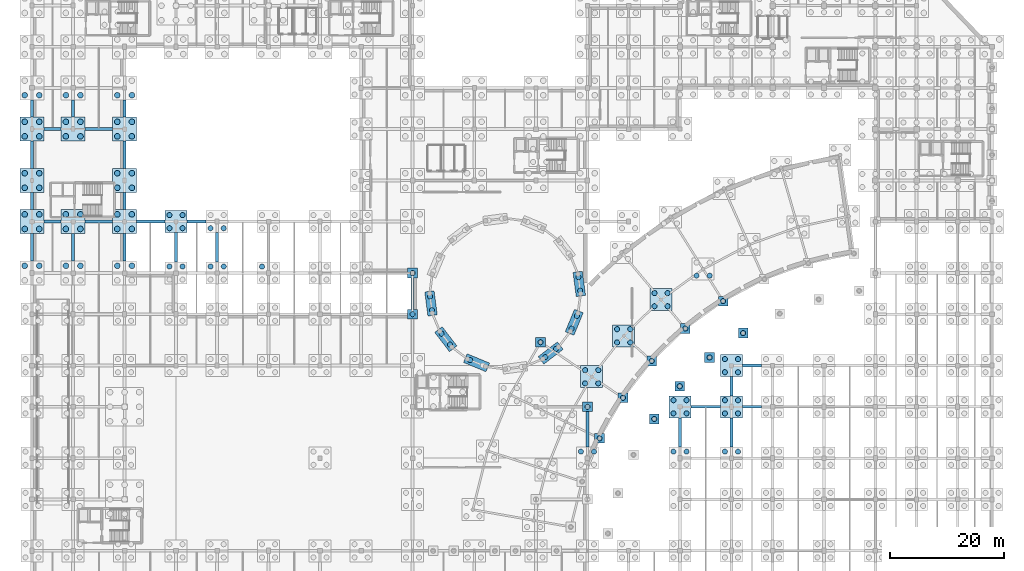
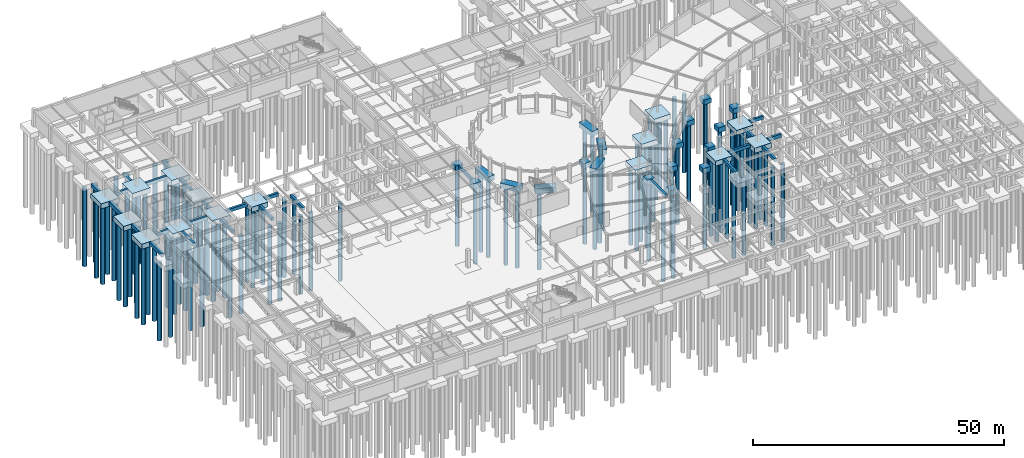
# One storey, part 5 of 42: 111 piles, 60 footings.
"""IFC4 building model written with IfcOpenShell, lengths in metres."""

from ifc_helpers import new_model, si_unit, direction, frame, frame_2d, origin, origin_2d, place, context, subcontext, project, spatial, polyline, rectangle, circle, outline, extrude, material, material_profile, profile_set, type_object, element, save


model = new_model("IFC4")

# Units and contexts
model_context = context("Model", 3, precision=1e-05, world=origin(), true_north=direction((0.0, 1.0)))
body_context = subcontext(model_context, "Body", "Model", "MODEL_VIEW")
ifc_project = project(units=[si_unit("LENGTHUNIT", "METRE"), si_unit("AREAUNIT", "SQUARE_METRE"), si_unit("VOLUMEUNIT", "CUBIC_METRE"), si_unit("PLANEANGLEUNIT", "RADIAN"), si_unit("MASSUNIT", "GRAM", prefix="KILO")], contexts=[model_context])

# Site, building, storey
site_placement = place(None, origin())
site = spatial("IfcSite", under=ifc_project, at=site_placement, CompositionType="ELEMENT")
building_placement = place(site_placement, origin())
building = spatial("IfcBuilding", under=site, at=building_placement, Name="Clarverna Civic Hall", CompositionType="ELEMENT")
storey_placement = place(building_placement, frame((0.0, 0.0, -4.199951171875)))
storey = spatial("IfcBuildingStorey", under=building, at=storey_placement, Name="B01", CompositionType="ELEMENT", Elevation=-4.199951171875)

# Footings
ifc_material = material(Name="Concrete C30/37", Category="concrete")
footing_type_1 = type_object("IfcFootingType", Name="FC-01", PredefinedType="PILE_CAP", material=ifc_material)
footing_1_placement = place(storey_placement, frame((0.0, 0.0, -1.199951171875)))
element("IfcFooting", 1, at=footing_1_placement, inside=storey, type_object=footing_type_1, Name="FC-01-001", PredefinedType="PILE_CAP", context=body_context, shape_type="SweptSolid", body=[
    extrude(outline(polyline([(96.870361328125, 58.708984375), (96.315673828125, 62.922607421875), (94.6796875, 62.707275390625), (95.234619140625, 58.49365234375), (96.870361328125, 58.708984375)])), origin(), (0.0, 0.0, 1.0), 1.199951171875),
])
footing_2_placement = place(storey_placement, frame((0.0, 0.0, -1.199951171875)))
element("IfcFooting", 2, at=footing_2_placement, inside=storey, type_object=footing_type_1, Name="FC-01-007", PredefinedType="PILE_CAP", context=body_context, shape_type="SweptSolid", body=[
    extrude(outline(polyline([(68.7294921875, 59.291015625), (69.2841796875, 55.077392578125), (70.920166015625, 55.292724609375), (70.365478515625, 59.50634765625), (68.7294921875, 59.291015625)])), origin(), (0.0, 0.0, 1.0), 1.199951171875),
])
footing_3_placement = place(storey_placement, frame((0.0, 0.0, -1.199951171875)))
element("IfcFooting", 3, at=footing_3_placement, inside=storey, type_object=footing_type_1, Name="FC-01-008", PredefinedType="PILE_CAP", context=body_context, shape_type="SweptSolid", body=[
    extrude(outline(polyline([(70.46923828125, 52.216796875), (73.056396484375, 48.844970703125), (74.365478515625, 49.849365234375), (71.7783203125, 53.22119140625), (70.46923828125, 52.216796875)])), origin(), (0.0, 0.0, 1.0), 1.199951171875),
])
footing_4_placement = place(storey_placement, frame((0.0, 0.0, -1.199951171875)))
element("IfcFooting", 4, at=footing_4_placement, inside=storey, type_object=footing_type_1, Name="FC-01-009", PredefinedType="PILE_CAP", context=body_context, shape_type="SweptSolid", body=[
    extrude(outline(polyline([(75.5126953125, 46.960205078125), (79.439208984375, 45.333740234375), (80.07080078125, 46.858154296875), (76.144287109375, 48.484619140625), (75.5126953125, 46.960205078125)])), origin(), (0.0, 0.0, 1.0), 1.199951171875),
])
footing_5_placement = place(storey_placement, frame((0.0, 0.0, -1.199951171875)))
element("IfcFooting", 5, at=footing_5_placement, inside=storey, type_object=footing_type_1, Name="FC-01-011", PredefinedType="PILE_CAP", context=body_context, shape_type="SweptSolid", body=[
    extrude(outline(polyline([(89.583251953125, 46.669189453125), (92.955078125, 49.256591796875), (91.95068359375, 50.5654296875), (88.578857421875, 47.978271484375), (89.583251953125, 46.669189453125)])), origin(), (0.0, 0.0, 1.0), 1.199951171875),
])
footing_6_placement = place(storey_placement, frame((0.0, 0.0, -1.199951171875)))
element("IfcFooting", 6, at=footing_6_placement, inside=storey, type_object=footing_type_1, Name="FC-01-012", PredefinedType="PILE_CAP", context=body_context, shape_type="SweptSolid", body=[
    extrude(outline(polyline([(94.83984375, 51.712890625), (96.46630859375, 55.639404296875), (94.94189453125, 56.270751953125), (93.3154296875, 52.34423828125), (94.83984375, 51.712890625)])), origin(), (0.0, 0.0, 1.0), 1.199951171875),
])
footing_type_2 = type_object("IfcFootingType", Name="FC-02", PredefinedType="PILE_CAP", material=ifc_material)
for number, where, z_axis, x_axis, name in (
    (7, (110.090087890625, 57.946044921875, -1.2001953125), (0.0, 0.0, 1.0), (1.0, 0.0, 0.0), "FC-02-005"),
    (8, (103.547119140625, 51.627197265625, -1.2001953125), (0.0, 0.0, 1.0), (1.0, 0.0, 0.0), "FC-02-006"),
    (9, (97.94677734375, 44.45947265625, -1.2001953125), (0.0, 0.0, 1.0), (1.0, 0.0, 0.0), "FC-02-007"),
    (10, (25.199951171875, 71.60009765625, -1.2001953125), (0.0, 0.0, 1.0), (1.0, 0.0, 0.0), "FC-02-046"),
    (11, (113.39990234375, 39.199951171875, -1.2001953125), (0.0, 0.0, 1.0), (1.0, 0.0, 0.0), "FC-02-103"),
    (12, (122.39990234375, 39.199951171875, -1.2001953125), (0.0, 0.0, 1.0), (1.0, 0.0, 0.0), "FC-02-109"),
    (13, (122.39990234375, 46.39990234375, -1.2001953125), (0.0, 0.0, 1.0), (1.0, 0.0, 0.0), "FC-02-110"),
):
    element("IfcFooting", number, at=place(storey_placement, frame(where, z_axis=z_axis, x_axis=x_axis)), inside=storey, type_object=footing_type_2, Name=name, PredefinedType="PILE_CAP", context=body_context, shape_type="SweptSolid", body=[
        extrude(rectangle(XDim=3.85009765625, YDim=3.85009765625, at=origin_2d()), origin(), (0.0, 0.0, 1.0), 1.199951171875),
    ])
footing_type_3 = type_object("IfcFootingType", Name="FC-03", PredefinedType="PILE_CAP", material=ifc_material)
for number, where, z_axis, x_axis, name in (
    (14, (0.0, 71.60009765625, -1.2001953125), (0.0, 0.0, 1.0), (1.0, 0.0, 0.0), "FC-03-002"),
    (15, (0.0, 78.800048828125, -1.2001953125), (0.0, 0.0, 1.0), (1.0, 0.0, 0.0), "FC-03-003"),
    (16, (0.0, 87.800048828125, -1.2001953125), (0.0, 0.0, 1.0), (1.0, 0.0, 0.0), "FC-03-004"),
    (17, (7.199951171875, 71.60009765625, -1.2001953125), (0.0, 0.0, 1.0), (1.0, 0.0, 0.0), "FC-03-010"),
    (18, (7.199951171875, 87.800048828125, -1.2001953125), (0.0, 0.0, 1.0), (1.0, 0.0, 0.0), "FC-03-011"),
    (19, (16.199951171875, 71.60009765625, -1.2001953125), (0.0, 0.0, 1.0), (1.0, 0.0, 0.0), "FC-03-017"),
    (20, (16.199951171875, 78.800048828125, -1.2001953125), (0.0, 0.0, 1.0), (1.0, 0.0, 0.0), "FC-03-018"),
    (21, (16.199951171875, 87.800048828125, -1.2001953125), (0.0, 0.0, 1.0), (1.0, 0.0, 0.0), "FC-03-019"),
):
    element("IfcFooting", number, at=place(storey_placement, frame(where, z_axis=z_axis, x_axis=x_axis)), inside=storey, type_object=footing_type_3, Name=name, PredefinedType="PILE_CAP", context=body_context, shape_type="SweptSolid", body=[
        extrude(rectangle(XDim=4.199951171875, YDim=4.199951171875, at=origin_2d()), origin(), (0.0, 0.0, 1.0), 1.199951171875),
    ])
footing_type_4 = type_object("IfcFootingType", Name="FC-06", PredefinedType="PILE_CAP", material=ifc_material)
for number, where, z_axis, x_axis, name in (
    (22, (88.9931640625, 50.498779296875, -1.2001953125), (0.0, 0.0, 1.0), (1.0, 0.0, 0.0), "FC-06-001"),
    (23, (120.94677734375, 57.695556640625, -1.2001953125), (0.0, 0.0, 1.0), (1.0, 0.0, 0.0), "FC-06-005"),
    (24, (114.33251953125, 52.89013671875, -1.2001953125), (0.0, 0.0, 1.0), (1.0, 0.0, 0.0), "FC-06-006"),
    (25, (108.45166015625, 47.211181640625, -1.2001953125), (0.0, 0.0, 1.0), (1.0, 0.0, 0.0), "FC-06-007"),
    (26, (103.41845703125, 40.768798828125, -1.2001953125), (0.0, 0.0, 1.0), (1.0, 0.0, 0.0), "FC-06-008"),
    (27, (99.330810546875, 33.6884765625, -1.2001953125), (0.0, 0.0, 1.0), (1.0, 0.0, 0.0), "FC-06-009"),
    (28, (124.444091796875, 52.098388671875, -1.2001953125), (0.0, 0.0, 1.0), (1.0, 0.0, 0.0), "FC-06-015"),
    (29, (118.574951171875, 47.834228515625, -1.2001953125), (0.0, 0.0, 1.0), (1.0, 0.0, 0.0), "FC-06-016"),
    (30, (113.3564453125, 42.794921875, -1.2001953125), (0.0, 0.0, 1.0), (1.0, 0.0, 0.0), "FC-06-017"),
    (31, (108.889892578125, 37.077880859375, -1.2001953125), (0.0, 0.0, 1.0), (1.0, 0.0, 0.0), "FC-06-018"),
    (32, (66.60009765625, 55.39990234375, -1.2001953125), (0.0, 0.0, 1.0), (1.0, 0.0, 0.0), "FC-06-022"),
    (33, (66.60009765625, 62.60009765625, -1.2001953125), (0.0, 0.0, 1.0), (1.0, 0.0, 0.0), "FC-06-023"),
    (34, (97.199951171875, 39.199951171875, -1.2001953125), (0.0, 0.0, 1.0), (1.0, 0.0, 0.0), "FC-06-026"),
):
    element("IfcFooting", number, at=place(storey_placement, frame(where, z_axis=z_axis, x_axis=x_axis)), inside=storey, type_object=footing_type_4, Name=name, PredefinedType="PILE_CAP", context=body_context, shape_type="SweptSolid", body=[
        extrude(rectangle(XDim=1.699951171875, YDim=1.699951171875, at=origin_2d()), origin(), (0.0, 0.0, 1.0), 1.199951171875),
    ])
footing_type_5 = type_object("IfcFootingType", Name="GB-01", PredefinedType="FOOTING_BEAM", material=ifc_material)
footing_7_placement = place(storey_placement, frame((115.324951171875, 39.199951171875, -0.800048828125), z_axis=(0.0, 0.0, 1.0), x_axis=(1.0, 0.0, 0.0)))
element("IfcFooting", 35, at=footing_7_placement, inside=storey, type_object=footing_type_5, Name="GB-01-061", PredefinedType="FOOTING_BEAM", context=body_context, shape_type="SweptSolid", body=[
    extrude(rectangle(XDim=5.150146484375, YDim=0.5, at=frame_2d((2.5751953125, 0.0))), origin(), (0.0, 0.0, 1.0), 0.800048828125),
])
for number, where, z_axis, x_axis, name in (
    (36, (124.324951171875, 39.199951171875, -0.800048828125), (0.0, 0.0, 1.0), (1.0, 0.0, 0.0), "GB-01-062"),
    (37, (124.324951171875, 46.39990234375, -0.800048828125), (0.0, 0.0, 1.0), (1.0, 0.0, 0.0), "GB-01-076"),
):
    element("IfcFooting", number, at=place(storey_placement, frame(where, z_axis=z_axis, x_axis=x_axis)), inside=storey, type_object=footing_type_5, Name=name, PredefinedType="FOOTING_BEAM", context=body_context, shape_type="SweptSolid", body=[
        extrude(rectangle(XDim=3.35009765625, YDim=0.5, at=frame_2d((1.675048828125, 0.0))), origin(), (0.0, 0.0, 1.0), 0.800048828125),
    ])
footing_8_placement = place(storey_placement, frame((2.10009765625, 71.60009765625, -0.800048828125), z_axis=(0.0, 0.0, 1.0), x_axis=(1.0, 0.0, 0.0)))
element("IfcFooting", 38, at=footing_8_placement, inside=storey, type_object=footing_type_5, Name="GB-01-104", PredefinedType="FOOTING_BEAM", context=body_context, shape_type="SweptSolid", body=[
    extrude(rectangle(XDim=3.0, YDim=0.5, at=frame_2d((1.5, 0.0))), origin(), (0.0, 0.0, 1.0), 0.800048828125),
])
footing_9_placement = place(storey_placement, frame((9.300048828125, 71.60009765625, -0.800048828125), z_axis=(0.0, 0.0, 1.0), x_axis=(1.0, 0.0, 0.0)))
element("IfcFooting", 39, at=footing_9_placement, inside=storey, type_object=footing_type_5, Name="GB-01-105", PredefinedType="FOOTING_BEAM", context=body_context, shape_type="SweptSolid", body=[
    extrude(rectangle(XDim=4.800048828125, YDim=0.5, at=frame_2d((2.39990234375, 0.0))), origin(), (0.0, 0.0, 1.0), 0.800048828125),
])
footing_10_placement = place(storey_placement, frame((18.300048828125, 71.60009765625, -0.800048828125), z_axis=(0.0, 0.0, 1.0), x_axis=(1.0, 0.0, 0.0)))
element("IfcFooting", 40, at=footing_10_placement, inside=storey, type_object=footing_type_5, Name="GB-01-106", PredefinedType="FOOTING_BEAM", context=body_context, shape_type="SweptSolid", body=[
    extrude(rectangle(XDim=4.974853515625, YDim=0.5, at=frame_2d((2.4873046875, 0.0))), origin(), (0.0, 0.0, 1.0), 0.800048828125),
])
footing_11_placement = place(storey_placement, frame((27.125, 71.60009765625, -0.800048828125), z_axis=(0.0, 0.0, 1.0), x_axis=(1.0, 0.0, 0.0)))
element("IfcFooting", 41, at=footing_11_placement, inside=storey, type_object=footing_type_5, Name="GB-01-107", PredefinedType="FOOTING_BEAM", context=body_context, shape_type="SweptSolid", body=[
    extrude(rectangle(XDim=3.35009765625, YDim=0.5, at=frame_2d((1.675048828125, 0.0))), origin(), (0.0, 0.0, 1.0), 0.800048828125),
])
footing_12_placement = place(storey_placement, frame((2.10009765625, 87.800048828125, -0.800048828125), z_axis=(0.0, 0.0, 1.0), x_axis=(1.0, 0.0, 0.0)))
element("IfcFooting", 42, at=footing_12_placement, inside=storey, type_object=footing_type_5, Name="GB-01-123", PredefinedType="FOOTING_BEAM", context=body_context, shape_type="SweptSolid", body=[
    extrude(rectangle(XDim=3.0, YDim=0.5, at=frame_2d((1.5, 0.0))), origin(), (0.0, 0.0, 1.0), 0.800048828125),
])
for number, where, z_axis, x_axis, name in (
    (43, (9.300048828125, 87.800048828125, -0.800048828125), (0.0, 0.0, 1.0), (1.0, 0.0, 0.0), "GB-01-124"),
    (44, (7.199951171875, 64.699951171875, -0.800048828125), (0.0, 0.0, 1.0), (0.0, 1.0, 0.0), "GB-01-180"),
):
    element("IfcFooting", number, at=place(storey_placement, frame(where, z_axis=z_axis, x_axis=x_axis)), inside=storey, type_object=footing_type_5, Name=name, PredefinedType="FOOTING_BEAM", context=body_context, shape_type="SweptSolid", body=[
        extrude(rectangle(XDim=4.800048828125, YDim=0.5, at=frame_2d((2.39990234375, 0.0))), origin(), (0.0, 0.0, 1.0), 0.800048828125),
    ])
footing_13_placement = place(storey_placement, frame((7.199951171875, 89.89990234375, -0.800048828125), z_axis=(0.0, 0.0, 1.0), x_axis=(0.0, 1.0, 0.0)))
element("IfcFooting", 45, at=footing_13_placement, inside=storey, type_object=footing_type_5, Name="GB-01-181", PredefinedType="FOOTING_BEAM", context=body_context, shape_type="SweptSolid", body=[
    extrude(rectangle(XDim=3.0, YDim=0.5, at=frame_2d((1.5, 0.0))), origin(), (0.0, 0.0, 1.0), 0.800048828125),
])
footing_14_placement = place(storey_placement, frame((16.199951171875, 64.699951171875, -0.800048828125), z_axis=(0.0, 0.0, 1.0), x_axis=(0.0, 1.0, 0.0)))
element("IfcFooting", 46, at=footing_14_placement, inside=storey, type_object=footing_type_5, Name="GB-01-193", PredefinedType="FOOTING_BEAM", context=body_context, shape_type="SweptSolid", body=[
    extrude(rectangle(XDim=4.800048828125, YDim=0.5, at=frame_2d((2.39990234375, 0.0))), origin(), (0.0, 0.0, 1.0), 0.800048828125),
])
footing_15_placement = place(storey_placement, frame((16.199951171875, 73.699951171875, -0.800048828125), z_axis=(0.0, 0.0, 1.0), x_axis=(0.0, 1.0, 0.0)))
element("IfcFooting", 47, at=footing_15_placement, inside=storey, type_object=footing_type_5, Name="GB-01-194", PredefinedType="FOOTING_BEAM", context=body_context, shape_type="SweptSolid", body=[
    extrude(rectangle(XDim=3.0, YDim=0.5, at=frame_2d((1.5, 0.0))), origin(), (0.0, 0.0, 1.0), 0.800048828125),
])
footing_16_placement = place(storey_placement, frame((16.199951171875, 80.89990234375, -0.800048828125), z_axis=(0.0, 0.0, 1.0), x_axis=(0.0, 1.0, 0.0)))
element("IfcFooting", 48, at=footing_16_placement, inside=storey, type_object=footing_type_5, Name="GB-01-195", PredefinedType="FOOTING_BEAM", context=body_context, shape_type="SweptSolid", body=[
    extrude(rectangle(XDim=4.800048828125, YDim=0.5, at=frame_2d((2.39990234375, 0.0))), origin(), (0.0, 0.0, 1.0), 0.800048828125),
])
footing_17_placement = place(storey_placement, frame((16.199951171875, 89.89990234375, -0.800048828125), z_axis=(0.0, 0.0, 1.0), x_axis=(0.0, 1.0, 0.0)))
element("IfcFooting", 49, at=footing_17_placement, inside=storey, type_object=footing_type_5, Name="GB-01-196", PredefinedType="FOOTING_BEAM", context=body_context, shape_type="SweptSolid", body=[
    extrude(rectangle(XDim=3.0, YDim=0.5, at=frame_2d((1.5, 0.0))), origin(), (0.0, 0.0, 1.0), 0.800048828125),
])
for number, where, z_axis, x_axis, name in (
    (50, (25.199951171875, 64.52490234375, -0.800048828125), (0.0, 0.0, 1.0), (0.0, 1.0, 0.0), "GB-01-202"),
    (51, (32.39990234375, 64.52490234375, -0.800048828125), (0.0, 0.0, 1.0), (0.0, 1.0, 0.0), "GB-01-209"),
):
    element("IfcFooting", number, at=place(storey_placement, frame(where, z_axis=z_axis, x_axis=x_axis)), inside=storey, type_object=footing_type_5, Name=name, PredefinedType="FOOTING_BEAM", context=body_context, shape_type="SweptSolid", body=[
        extrude(rectangle(XDim=5.150146484375, YDim=0.5, at=frame_2d((2.5751953125, 0.0))), origin(), (0.0, 0.0, 1.0), 0.800048828125),
    ])
footing_18_placement = place(storey_placement, frame((66.60009765625, 56.25, -0.800048828125), z_axis=(0.0, 0.0, 1.0), x_axis=(0.0, 1.0, 0.0)))
element("IfcFooting", 52, at=footing_18_placement, inside=storey, type_object=footing_type_5, Name="GB-01-240", PredefinedType="FOOTING_BEAM", context=body_context, shape_type="SweptSolid", body=[
    extrude(rectangle(XDim=5.5, YDim=0.5, at=frame_2d((2.75, 0.0))), origin(), (0.0, 0.0, 1.0), 0.800048828125),
])
footing_19_placement = place(storey_placement, frame((97.199951171875, 32.125, -0.800048828125), z_axis=(0.0, 0.0, 1.0), x_axis=(0.0, 1.0, 0.0)))
element("IfcFooting", 53, at=footing_19_placement, inside=storey, type_object=footing_type_5, Name="GB-01-261", PredefinedType="FOOTING_BEAM", context=body_context, shape_type="SweptSolid", body=[
    extrude(rectangle(XDim=6.22509765625, YDim=0.5, at=frame_2d((3.112548828125, 0.0))), origin(), (0.0, 0.0, 1.0), 0.800048828125),
])
for number, where, z_axis, x_axis, name in (
    (54, (113.39990234375, 32.125, -0.800048828125), (0.0, 0.0, 1.0), (0.0, 1.0, 0.0), "GB-01-276"),
    (55, (122.39990234375, 32.125, -0.800048828125), (0.0, 0.0, 1.0), (0.0, 1.0, 0.0), "GB-01-285"),
):
    element("IfcFooting", number, at=place(storey_placement, frame(where, z_axis=z_axis, x_axis=x_axis)), inside=storey, type_object=footing_type_5, Name=name, PredefinedType="FOOTING_BEAM", context=body_context, shape_type="SweptSolid", body=[
        extrude(rectangle(XDim=5.14990234375, YDim=0.5, at=frame_2d((2.574951171875, 0.0))), origin(), (0.0, 0.0, 1.0), 0.800048828125),
    ])
footing_20_placement = place(storey_placement, frame((122.39990234375, 41.125, -0.800048828125), z_axis=(0.0, 0.0, 1.0), x_axis=(0.0, 1.0, 0.0)))
element("IfcFooting", 56, at=footing_20_placement, inside=storey, type_object=footing_type_5, Name="GB-01-286", PredefinedType="FOOTING_BEAM", context=body_context, shape_type="SweptSolid", body=[
    extrude(rectangle(XDim=3.35009765625, YDim=0.5, at=frame_2d((1.675048828125, 0.0))), origin(), (0.0, 0.0, 1.0), 0.800048828125),
])
footing_type_6 = type_object("IfcFootingType", Name="GB-02", PredefinedType="FOOTING_BEAM", material=ifc_material)
footing_21_placement = place(storey_placement, frame((0.0, 64.699951171875, -0.900146484375), z_axis=(0.0, 0.0, 1.0), x_axis=(0.0, 1.0, 0.0)))
element("IfcFooting", 57, at=footing_21_placement, inside=storey, type_object=footing_type_6, Name="GB-02-043", PredefinedType="FOOTING_BEAM", context=body_context, shape_type="SweptSolid", body=[
    extrude(rectangle(XDim=4.800048828125, YDim=0.60009765625, at=frame_2d((2.39990234375, 0.0))), origin(), (0.0, 0.0, 1.0), 0.900146484375),
])
footing_22_placement = place(storey_placement, frame((0.0, 73.699951171875, -0.900146484375), z_axis=(0.0, 0.0, 1.0), x_axis=(0.0, 1.0, 0.0)))
element("IfcFooting", 58, at=footing_22_placement, inside=storey, type_object=footing_type_6, Name="GB-02-044", PredefinedType="FOOTING_BEAM", context=body_context, shape_type="SweptSolid", body=[
    extrude(rectangle(XDim=3.0, YDim=0.60009765625, at=frame_2d((1.5, 0.0))), origin(), (0.0, 0.0, 1.0), 0.900146484375),
])
footing_23_placement = place(storey_placement, frame((0.0, 80.89990234375, -0.900146484375), z_axis=(0.0, 0.0, 1.0), x_axis=(0.0, 1.0, 0.0)))
element("IfcFooting", 59, at=footing_23_placement, inside=storey, type_object=footing_type_6, Name="GB-02-045", PredefinedType="FOOTING_BEAM", context=body_context, shape_type="SweptSolid", body=[
    extrude(rectangle(XDim=4.800048828125, YDim=0.60009765625, at=frame_2d((2.39990234375, 0.0))), origin(), (0.0, 0.0, 1.0), 0.900146484375),
])
footing_24_placement = place(storey_placement, frame((0.0, 89.89990234375, -0.900146484375), z_axis=(0.0, 0.0, 1.0), x_axis=(0.0, 1.0, 0.0)))
element("IfcFooting", 60, at=footing_24_placement, inside=storey, type_object=footing_type_6, Name="GB-02-046", PredefinedType="FOOTING_BEAM", context=body_context, shape_type="SweptSolid", body=[
    extrude(rectangle(XDim=3.0, YDim=0.60009765625, at=frame_2d((1.5, 0.0))), origin(), (0.0, 0.0, 1.0), 0.900146484375),
])

# Piles
ifc_material_profile_1 = material_profile(ifc_material, circle(Radius=0.449951171875, at=origin_2d()), Name="BORED PILE D900")
ifc_profile_set_1 = profile_set([ifc_material_profile_1], Name="Concrete C30/37")
pile_type_1 = type_object("IfcPileType", Name="PL-01", PredefinedType="BORED", material=ifc_profile_set_1)
for number, where, z_axis, x_axis, name in (
    (61, (95.931640625, 59.5185546875, -1.10009765625), (0.0, 0.0, -1.0), (1.0, 0.0, 0.0), "PL-01-001"),
    (62, (95.618408203125, 61.89794921875, -1.10009765625), (0.0, 0.0, -1.0), (1.0, 0.0, 0.0), "PL-01-002"),
    (63, (69.668212890625, 58.4814453125, -1.10009765625), (0.0, 0.0, -1.0), (1.0, 0.0, 0.0), "PL-01-013"),
    (64, (69.9814453125, 56.10205078125, -1.10009765625), (0.0, 0.0, -1.0), (1.0, 0.0, 0.0), "PL-01-014"),
    (65, (71.686767578125, 51.985107421875, -1.10009765625), (0.0, 0.0, -1.0), (1.0, 0.0, 0.0), "PL-01-015"),
    (66, (73.147705078125, 50.0810546875, -1.10009765625), (0.0, 0.0, -1.0), (1.0, 0.0, 0.0), "PL-01-016"),
    (67, (76.68310546875, 47.368408203125, -1.10009765625), (0.0, 0.0, -1.0), (1.0, 0.0, 0.0), "PL-01-017"),
    (68, (89.81494140625, 47.886962890625, -1.10009765625), (0.0, 0.0, -1.0), (1.0, 0.0, 0.0), "PL-01-021"),
    (69, (91.718994140625, 49.347900390625, -1.10009765625), (0.0, 0.0, -1.0), (1.0, 0.0, 0.0), "PL-01-022"),
    (70, (94.431640625, 52.883056640625, -1.10009765625), (0.0, 0.0, -1.0), (1.0, 0.0, 0.0), "PL-01-023"),
    (71, (95.35009765625, 55.1005859375, -1.10009765625), (0.0, 0.0, -1.0), (1.0, 0.0, 0.0), "PL-01-024"),
    (72, (116.29931640625, 62.142578125, -1.10009765625), (0.0, 0.0, -1.0), (1.0, 0.0, 0.0), "PL-01-037"),
    (73, (118.599365234375, 62.142578125, -1.10009765625), (0.0, 0.0, -1.0), (1.0, 0.0, 0.0), "PL-01-038"),
    (74, (108.940185546875, 56.796142578125, -1.10009765625), (0.0, 0.0, -1.0), (1.0, 0.0, 0.0), "PL-01-041"),
    (75, (111.240234375, 56.796142578125, -1.10009765625), (0.0, 0.0, -1.0), (1.0, 0.0, 0.0), "PL-01-042"),
    (76, (108.940185546875, 59.09619140625, -1.10009765625), (0.0, 0.0, -1.0), (1.0, 0.0, 0.0), "PL-01-043"),
    (77, (111.240234375, 59.09619140625, -1.10009765625), (0.0, 0.0, -1.0), (1.0, 0.0, 0.0), "PL-01-044"),
    (78, (102.39697265625, 50.477294921875, -1.10009765625), (0.0, 0.0, -1.0), (1.0, 0.0, 0.0), "PL-01-045"),
    (79, (104.697021484375, 50.477294921875, -1.10009765625), (0.0, 0.0, -1.0), (1.0, 0.0, 0.0), "PL-01-046"),
    (80, (102.39697265625, 52.77734375, -1.10009765625), (0.0, 0.0, -1.0), (1.0, 0.0, 0.0), "PL-01-047"),
    (81, (104.697021484375, 52.77734375, -1.10009765625), (0.0, 0.0, -1.0), (1.0, 0.0, 0.0), "PL-01-048"),
    (82, (96.796875, 43.309326171875, -1.10009765625), (0.0, 0.0, -1.0), (1.0, 0.0, 0.0), "PL-01-049"),
    (83, (99.0966796875, 43.309326171875, -1.10009765625), (0.0, 0.0, -1.0), (1.0, 0.0, 0.0), "PL-01-050"),
    (84, (96.796875, 45.609375, -1.10009765625), (0.0, 0.0, -1.0), (1.0, 0.0, 0.0), "PL-01-051"),
    (85, (99.0966796875, 45.609375, -1.10009765625), (0.0, 0.0, -1.0), (1.0, 0.0, 0.0), "PL-01-052"),
    (86, (88.9931640625, 50.498779296875, -1.10009765625), (0.0, 0.0, -1.0), (1.0, 0.0, 0.0), "PL-01-085"),
    (87, (120.94677734375, 57.695556640625, -1.10009765625), (0.0, 0.0, -1.0), (1.0, 0.0, 0.0), "PL-01-101"),
    (88, (114.33251953125, 52.89013671875, -1.10009765625), (0.0, 0.0, -1.0), (1.0, 0.0, 0.0), "PL-01-102"),
    (89, (108.45166015625, 47.211181640625, -1.10009765625), (0.0, 0.0, -1.0), (1.0, 0.0, 0.0), "PL-01-103"),
    (90, (103.41845703125, 40.768798828125, -1.10009765625), (0.0, 0.0, -1.0), (1.0, 0.0, 0.0), "PL-01-104"),
    (91, (99.330810546875, 33.6884765625, -1.10009765625), (0.0, 0.0, -1.0), (1.0, 0.0, 0.0), "PL-01-105"),
    (92, (124.444091796875, 52.098388671875, -1.10009765625), (0.0, 0.0, -1.0), (1.0, 0.0, 0.0), "PL-01-111"),
    (93, (118.574951171875, 47.834228515625, -1.10009765625), (0.0, 0.0, -1.0), (1.0, 0.0, 0.0), "PL-01-112"),
    (94, (113.3564453125, 42.794921875, -1.10009765625), (0.0, 0.0, -1.0), (1.0, 0.0, 0.0), "PL-01-113"),
    (95, (108.889892578125, 37.077880859375, -1.10009765625), (0.0, 0.0, -1.0), (1.0, 0.0, 0.0), "PL-01-114"),
    (96, (24.050048828125, 63.75, -1.10009765625), (0.0, 0.0, -1.0), (1.0, 0.0, 0.0), "PL-01-224"),
    (97, (26.35009765625, 63.75, -1.10009765625), (0.0, 0.0, -1.0), (1.0, 0.0, 0.0), "PL-01-225"),
    (98, (24.050048828125, 70.449951171875, -1.10009765625), (0.0, 0.0, -1.0), (1.0, 0.0, 0.0), "PL-01-226"),
    (99, (26.35009765625, 70.449951171875, -1.10009765625), (0.0, 0.0, -1.0), (1.0, 0.0, 0.0), "PL-01-227"),
    (100, (24.050048828125, 72.75, -1.10009765625), (0.0, 0.0, -1.0), (1.0, 0.0, 0.0), "PL-01-228"),
    (101, (26.35009765625, 72.75, -1.10009765625), (0.0, 0.0, -1.0), (1.0, 0.0, 0.0), "PL-01-229"),
    (102, (31.25, 63.75, -1.10009765625), (0.0, 0.0, -1.0), (1.0, 0.0, 0.0), "PL-01-252"),
    (103, (33.550048828125, 63.75, -1.10009765625), (0.0, 0.0, -1.0), (1.0, 0.0, 0.0), "PL-01-253"),
    (104, (31.25, 70.449951171875, -1.10009765625), (0.0, 0.0, -1.0), (1.0, 0.0, 0.0), "PL-01-254"),
    (105, (33.550048828125, 70.449951171875, -1.10009765625), (0.0, 0.0, -1.0), (1.0, 0.0, 0.0), "PL-01-255"),
    (106, (40.25, 63.75, -1.10009765625), (0.0, 0.0, -1.0), (1.0, 0.0, 0.0), "PL-01-276"),
    (107, (66.60009765625, 55.39990234375, -1.10009765625), (0.0, 0.0, -1.0), (1.0, 0.0, 0.0), "PL-01-374"),
    (108, (66.60009765625, 62.60009765625, -1.10009765625), (0.0, 0.0, -1.0), (1.0, 0.0, 0.0), "PL-01-375"),
    (109, (96.050048828125, 31.35009765625, -1.10009765625), (0.0, 0.0, -1.0), (1.0, 0.0, 0.0), "PL-01-420"),
    (110, (98.35009765625, 31.35009765625, -1.10009765625), (0.0, 0.0, -1.0), (1.0, 0.0, 0.0), "PL-01-421"),
    (111, (97.199951171875, 39.199951171875, -1.10009765625), (0.0, 0.0, -1.0), (1.0, 0.0, 0.0), "PL-01-422"),
    (112, (112.25, 31.35009765625, -1.10009765625), (0.0, 0.0, -1.0), (1.0, 0.0, 0.0), "PL-01-457"),
    (113, (114.550048828125, 31.35009765625, -1.10009765625), (0.0, 0.0, -1.0), (1.0, 0.0, 0.0), "PL-01-458"),
    (114, (112.25, 38.050048828125, -1.10009765625), (0.0, 0.0, -1.0), (1.0, 0.0, 0.0), "PL-01-459"),
    (115, (114.550048828125, 38.050048828125, -1.10009765625), (0.0, 0.0, -1.0), (1.0, 0.0, 0.0), "PL-01-460"),
    (116, (112.25, 40.35009765625, -1.10009765625), (0.0, 0.0, -1.0), (1.0, 0.0, 0.0), "PL-01-461"),
    (117, (114.550048828125, 40.35009765625, -1.10009765625), (0.0, 0.0, -1.0), (1.0, 0.0, 0.0), "PL-01-462"),
    (118, (121.25, 31.35009765625, -1.10009765625), (0.0, 0.0, -1.0), (1.0, 0.0, 0.0), "PL-01-499"),
    (119, (123.550048828125, 31.35009765625, -1.10009765625), (0.0, 0.0, -1.0), (1.0, 0.0, 0.0), "PL-01-500"),
    (120, (121.25, 38.050048828125, -1.10009765625), (0.0, 0.0, -1.0), (1.0, 0.0, 0.0), "PL-01-501"),
    (121, (123.550048828125, 38.050048828125, -1.10009765625), (0.0, 0.0, -1.0), (1.0, 0.0, 0.0), "PL-01-502"),
    (122, (121.25, 40.35009765625, -1.10009765625), (0.0, 0.0, -1.0), (1.0, 0.0, 0.0), "PL-01-503"),
    (123, (123.550048828125, 40.35009765625, -1.10009765625), (0.0, 0.0, -1.0), (1.0, 0.0, 0.0), "PL-01-504"),
    (124, (121.25, 45.25, -1.10009765625), (0.0, 0.0, -1.0), (1.0, 0.0, 0.0), "PL-01-505"),
    (125, (123.550048828125, 45.25, -1.10009765625), (0.0, 0.0, -1.0), (1.0, 0.0, 0.0), "PL-01-506"),
    (126, (121.25, 47.550048828125, -1.10009765625), (0.0, 0.0, -1.0), (1.0, 0.0, 0.0), "PL-01-507"),
    (127, (123.550048828125, 47.550048828125, -1.10009765625), (0.0, 0.0, -1.0), (1.0, 0.0, 0.0), "PL-01-508"),
):
    element("IfcPile", number, at=place(storey_placement, frame(where, z_axis=z_axis, x_axis=x_axis)), inside=storey, type_object=pile_type_1, Name=name, PredefinedType="BORED", context=body_context, shape_type="SweptSolid", body=[
        extrude(circle(Radius=0.449951171875, at=origin_2d()), origin(), (0.0, 0.0, 1.0), 19.0),
    ])
ifc_material_profile_2 = material_profile(ifc_material, circle(Radius=0.5, at=origin_2d()), Name="BORED PILE D1000")
ifc_profile_set_2 = profile_set([ifc_material_profile_2], Name="Concrete C30/37")
pile_type_2 = type_object("IfcPileType", Name="PL-02", PredefinedType="BORED", material=ifc_profile_set_2)
for number, where, z_axis, x_axis, name in (
    (128, (-1.27490234375, 63.875, -1.10009765625), (0.0, 0.0, -1.0), (1.0, 0.0, 0.0), "PL-02-003"),
    (129, (1.27490234375, 63.875, -1.10009765625), (0.0, 0.0, -1.0), (1.0, 0.0, 0.0), "PL-02-004"),
    (130, (-1.27490234375, 70.324951171875, -1.10009765625), (0.0, 0.0, -1.0), (1.0, 0.0, 0.0), "PL-02-005"),
    (131, (1.27490234375, 70.324951171875, -1.10009765625), (0.0, 0.0, -1.0), (1.0, 0.0, 0.0), "PL-02-006"),
    (132, (-1.27490234375, 72.875, -1.10009765625), (0.0, 0.0, -1.0), (1.0, 0.0, 0.0), "PL-02-007"),
    (133, (1.27490234375, 72.875, -1.10009765625), (0.0, 0.0, -1.0), (1.0, 0.0, 0.0), "PL-02-008"),
    (134, (-1.27490234375, 77.52490234375, -1.10009765625), (0.0, 0.0, -1.0), (1.0, 0.0, 0.0), "PL-02-009"),
    (135, (1.27490234375, 77.52490234375, -1.10009765625), (0.0, 0.0, -1.0), (1.0, 0.0, 0.0), "PL-02-010"),
    (136, (-1.27490234375, 80.074951171875, -1.10009765625), (0.0, 0.0, -1.0), (1.0, 0.0, 0.0), "PL-02-011"),
    (137, (1.27490234375, 80.074951171875, -1.10009765625), (0.0, 0.0, -1.0), (1.0, 0.0, 0.0), "PL-02-012"),
    (138, (-1.27490234375, 86.52490234375, -1.10009765625), (0.0, 0.0, -1.0), (1.0, 0.0, 0.0), "PL-02-013"),
    (139, (1.27490234375, 86.52490234375, -1.10009765625), (0.0, 0.0, -1.0), (1.0, 0.0, 0.0), "PL-02-014"),
    (140, (-1.27490234375, 89.074951171875, -1.10009765625), (0.0, 0.0, -1.0), (1.0, 0.0, 0.0), "PL-02-015"),
    (141, (1.27490234375, 89.074951171875, -1.10009765625), (0.0, 0.0, -1.0), (1.0, 0.0, 0.0), "PL-02-016"),
    (142, (-1.27490234375, 93.72509765625, -1.10009765625), (0.0, 0.0, -1.0), (1.0, 0.0, 0.0), "PL-02-017"),
    (143, (1.27490234375, 93.72509765625, -1.10009765625), (0.0, 0.0, -1.0), (1.0, 0.0, 0.0), "PL-02-018"),
    (144, (5.925048828125, 63.875, -1.10009765625), (0.0, 0.0, -1.0), (1.0, 0.0, 0.0), "PL-02-035"),
    (145, (8.47509765625, 63.875, -1.10009765625), (0.0, 0.0, -1.0), (1.0, 0.0, 0.0), "PL-02-036"),
    (146, (5.925048828125, 70.324951171875, -1.10009765625), (0.0, 0.0, -1.0), (1.0, 0.0, 0.0), "PL-02-037"),
    (147, (8.47509765625, 70.324951171875, -1.10009765625), (0.0, 0.0, -1.0), (1.0, 0.0, 0.0), "PL-02-038"),
    (148, (5.925048828125, 72.875, -1.10009765625), (0.0, 0.0, -1.0), (1.0, 0.0, 0.0), "PL-02-039"),
    (149, (8.47509765625, 72.875, -1.10009765625), (0.0, 0.0, -1.0), (1.0, 0.0, 0.0), "PL-02-040"),
    (150, (5.925048828125, 86.52490234375, -1.10009765625), (0.0, 0.0, -1.0), (1.0, 0.0, 0.0), "PL-02-041"),
    (151, (8.47509765625, 86.52490234375, -1.10009765625), (0.0, 0.0, -1.0), (1.0, 0.0, 0.0), "PL-02-042"),
    (152, (5.925048828125, 89.074951171875, -1.10009765625), (0.0, 0.0, -1.0), (1.0, 0.0, 0.0), "PL-02-043"),
    (153, (8.47509765625, 89.074951171875, -1.10009765625), (0.0, 0.0, -1.0), (1.0, 0.0, 0.0), "PL-02-044"),
    (154, (5.925048828125, 93.72509765625, -1.10009765625), (0.0, 0.0, -1.0), (1.0, 0.0, 0.0), "PL-02-045"),
    (155, (8.47509765625, 93.72509765625, -1.10009765625), (0.0, 0.0, -1.0), (1.0, 0.0, 0.0), "PL-02-046"),
    (156, (14.925048828125, 63.875, -1.10009765625), (0.0, 0.0, -1.0), (1.0, 0.0, 0.0), "PL-02-081"),
    (157, (17.47509765625, 63.875, -1.10009765625), (0.0, 0.0, -1.0), (1.0, 0.0, 0.0), "PL-02-082"),
    (158, (14.925048828125, 70.324951171875, -1.10009765625), (0.0, 0.0, -1.0), (1.0, 0.0, 0.0), "PL-02-083"),
    (159, (17.47509765625, 70.324951171875, -1.10009765625), (0.0, 0.0, -1.0), (1.0, 0.0, 0.0), "PL-02-084"),
    (160, (14.925048828125, 72.875, -1.10009765625), (0.0, 0.0, -1.0), (1.0, 0.0, 0.0), "PL-02-085"),
    (161, (17.47509765625, 72.875, -1.10009765625), (0.0, 0.0, -1.0), (1.0, 0.0, 0.0), "PL-02-086"),
    (162, (14.925048828125, 77.52490234375, -1.10009765625), (0.0, 0.0, -1.0), (1.0, 0.0, 0.0), "PL-02-087"),
    (163, (17.47509765625, 77.52490234375, -1.10009765625), (0.0, 0.0, -1.0), (1.0, 0.0, 0.0), "PL-02-088"),
    (164, (14.925048828125, 80.074951171875, -1.10009765625), (0.0, 0.0, -1.0), (1.0, 0.0, 0.0), "PL-02-089"),
    (165, (17.47509765625, 80.074951171875, -1.10009765625), (0.0, 0.0, -1.0), (1.0, 0.0, 0.0), "PL-02-090"),
    (166, (14.925048828125, 86.52490234375, -1.10009765625), (0.0, 0.0, -1.0), (1.0, 0.0, 0.0), "PL-02-091"),
    (167, (17.47509765625, 86.52490234375, -1.10009765625), (0.0, 0.0, -1.0), (1.0, 0.0, 0.0), "PL-02-092"),
    (168, (14.925048828125, 89.074951171875, -1.10009765625), (0.0, 0.0, -1.0), (1.0, 0.0, 0.0), "PL-02-093"),
    (169, (17.47509765625, 89.074951171875, -1.10009765625), (0.0, 0.0, -1.0), (1.0, 0.0, 0.0), "PL-02-094"),
    (170, (14.925048828125, 93.72509765625, -1.10009765625), (0.0, 0.0, -1.0), (1.0, 0.0, 0.0), "PL-02-095"),
    (171, (17.47509765625, 93.72509765625, -1.10009765625), (0.0, 0.0, -1.0), (1.0, 0.0, 0.0), "PL-02-096"),
):
    element("IfcPile", number, at=place(storey_placement, frame(where, z_axis=z_axis, x_axis=x_axis)), inside=storey, type_object=pile_type_2, Name=name, PredefinedType="BORED", context=body_context, shape_type="SweptSolid", body=[
        extrude(circle(Radius=0.5, at=origin_2d()), origin(), (0.0, 0.0, 1.0), 19.0),
    ])

save(model, "model.ifc")
